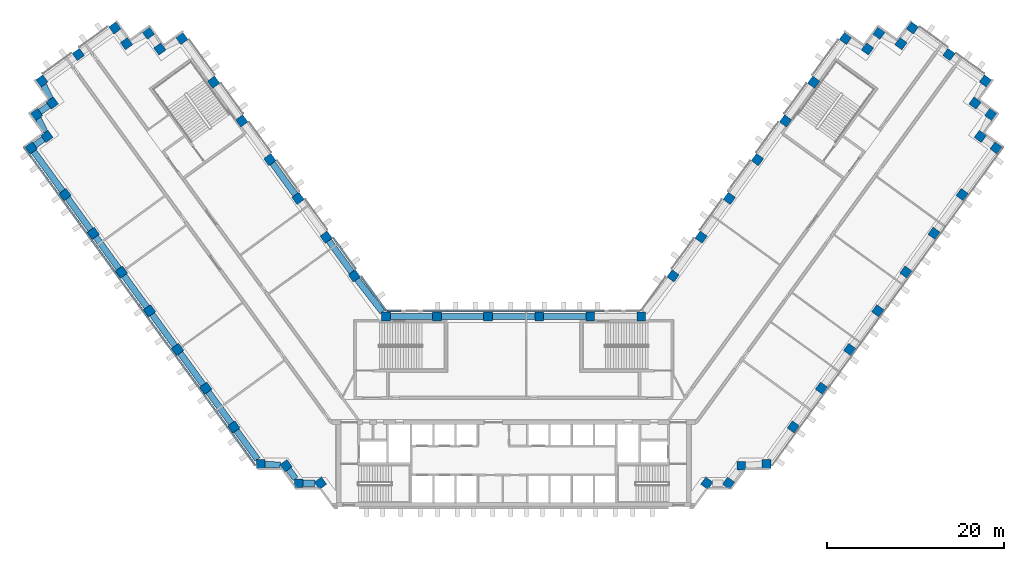
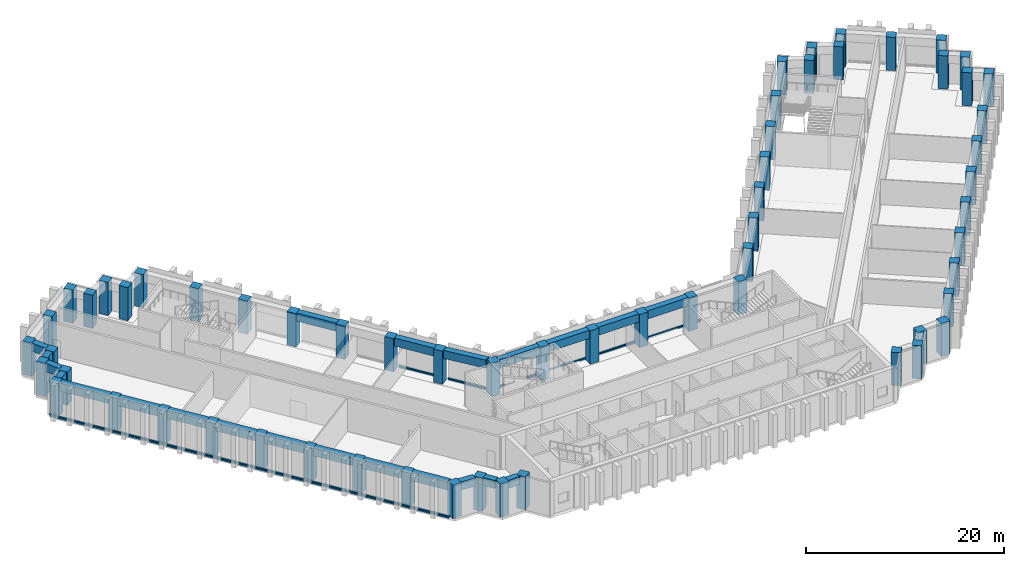
"""IFC4 building model written with IfcOpenShell, lengths in metres."""

from ifc_helpers import new_model, si_unit, direction, frame, origin, origin_2d, place, context, subcontext, project, spatial, rectangle, extrude, material, material_profile, profile_set, type_object, element, aggregate, save


model = new_model("IFC4")

# Units and contexts
model_context = context("Model", 3, precision=1e-05, world=origin(), true_north=direction((0.0, 1.0)))
body_context = subcontext(model_context, "Body", "Model", "MODEL_VIEW")
ifc_project = project(units=[si_unit("LENGTHUNIT", "METRE"), si_unit("AREAUNIT", "SQUARE_METRE"), si_unit("VOLUMEUNIT", "CUBIC_METRE"), si_unit("PLANEANGLEUNIT", "RADIAN"), si_unit("MASSUNIT", "GRAM", prefix="KILO")], contexts=[model_context])

# Site, building, storey
site_placement = place(None, origin())
site = spatial("IfcSite", under=ifc_project, at=site_placement, CompositionType="ELEMENT")
building_placement = place(site_placement, origin())
building = spatial("IfcBuilding", under=site, at=building_placement, Name="Quipu Civic Tower", CompositionType="ELEMENT")
storey_1_placement = place(building_placement, frame((0.0, 0.0, 11.5)))
storey_1 = spatial("IfcBuildingStorey", under=building, at=storey_1_placement, Name="L02", CompositionType="ELEMENT", Elevation=11.5)

# Columns
ifc_material_1 = material(Name="Concrete C80/95", Category="concrete")
ifc_material_profile_1 = material_profile(ifc_material_1, rectangle(XDim=1.0, YDim=1.0, at=origin_2d()), Name="RC1000x1000")
ifc_profile_set_1 = profile_set([ifc_material_profile_1], Name="Concrete C80/95")
column_type = type_object("IfcColumnType", Name="Perimeter column RC 1000x1000 C80/95", PredefinedType="COLUMN", material=ifc_profile_set_1)
for number, where, z_axis, x_axis, name in (
    (1, (-17.9736328125, 15.074951171875, 0.0), (0.0, 0.0, 1.0), (-0.587785252292, 0.809016994375, 0.0), "Column L02 W-IN-01"),
    (2, (-21.1474609375, 19.44384765625, 0.0), (0.0, 0.0, 1.0), (-0.587785252292, 0.809016994375, 0.0), "Column L02 W-IN-02"),
    (3, (-24.3212890625, 23.8125, 0.0), (0.0, 0.0, 1.0), (-0.587785252292, 0.809016994375, 0.0), "Column L02 W-IN-03"),
    (4, (-27.4951171875, 28.181396484375, 0.0), (0.0, 0.0, 1.0), (-0.587785252292, 0.809016994375, 0.0), "Column L02 W-IN-04"),
    (5, (-30.6689453125, 32.55029296875, 0.0), (0.0, 0.0, 1.0), (-0.587785252292, 0.809016994375, 0.0), "Column L02 W-IN-05"),
    (6, (-33.843017578125, 36.919189453125, 0.0), (0.0, 0.0, 1.0), (-0.587785252292, 0.809016994375, 0.0), "Column L02 W-IN-06"),
    (7, (-37.425048828125, 41.85009765625, 0.0), (0.0, 0.0, 1.0), (-0.587785252292, 0.809016994375, 0.0), "Column L02 T-Wi.0-W50"),
    (8, (-39.905517578125, 40.666015625, 0.0), (0.0, 0.0, 1.0), (-0.587785252292, 0.809016994375, 0.0), "Column L02 T-Wi.1-W50"),
    (9, (-41.199951171875, 42.445068359375, 0.0), (0.0, 0.0, 1.0), (-0.587785252292, 0.809016994375, 0.0), "Column L02 T-Wi.2-W50"),
    (10, (-43.674560546875, 41.264892578125, 0.0), (0.0, 0.0, 1.0), (-0.809016994375, -0.587785252292, 0.0), "Column L02 T-Wi.3-W50"),
    (11, (-44.969970703125, 43.044921875, 0.0), (0.0, 0.0, 1.0), (-0.809016994375, -0.587785252292, 0.0), "Column L02 T-Wi.4-W50"),
    (12, (-49.095703125, 40.046875, 0.0), (0.0, 0.0, 1.0), (-0.809016994375, -0.587785252292, 0.0), "Column L02 TIP-W-01-W50"),
    (13, (-53.219970703125, 37.050048828125, 0.0), (0.0, 0.0, 1.0), (0.587785252292, -0.809016994375, 0.0), "Column L02 T-Wo.0-W50"),
    (14, (-52.038818359375, 34.571044921875, 0.0), (0.0, 0.0, 1.0), (-0.809016994375, -0.587785252292, 0.0), "Column L02 T-Wo.1-W50"),
    (15, (-53.820068359375, 33.27490234375, 0.0), (0.0, 0.0, 1.0), (0.587785252292, -0.809016994375, 0.0), "Column L02 T-Wo.2-W50"),
    (16, (-52.635986328125, 30.799560546875, 0.0), (0.0, 0.0, 1.0), (-0.809016994375, -0.587785252292, 0.0), "Column L02 T-Wo.3-W50"),
    (17, (-54.4150390625, 29.5048828125, 0.0), (0.0, 0.0, 1.0), (0.587785252292, -0.809016994375, 0.0), "Column L02 T-Wo.4-W50"),
    (18, (-50.59228515625, 24.243408203125, 0.0), (0.0, 0.0, 1.0), (0.587785252292, -0.809016994375, 0.0), "Column L02 W-OUT-07"),
    (19, (-47.41845703125, 19.874755859375, 0.0), (0.0, 0.0, 1.0), (0.587785252292, -0.809016994375, 0.0), "Column L02 W-OUT-06"),
    (20, (-44.244384765625, 15.506103515625, 0.0), (0.0, 0.0, 1.0), (0.587785252292, -0.809016994375, 0.0), "Column L02 W-OUT-05"),
    (21, (-41.0703125, 11.137451171875, 0.0), (0.0, 0.0, 1.0), (0.587785252292, -0.809016994375, 0.0), "Column L02 W-OUT-04"),
    (22, (-37.896240234375, 6.768798828125, 0.0), (0.0, 0.0, 1.0), (0.587785252292, -0.809016994375, 0.0), "Column L02 W-OUT-03"),
    (23, (-34.722412109375, 2.39990234375, 0.0), (0.0, 0.0, 1.0), (0.587785252292, -0.809016994375, 0.0), "Column L02 W-OUT-02"),
    (24, (-31.54833984375, -1.96875, 0.0), (0.0, 0.0, 1.0), (0.587785252292, -0.809016994375, 0.0), "Column L02 W-OUT-01"),
    (25, (-28.52490234375, -6.1298828125, 0.0), (0.0, 0.0, 1.0), (1.0, 0.0, 0.0), "Column L02 J-Wo.0"),
    (26, (-25.67431640625, -6.3369140625, 0.0), (0.0, 0.0, 1.0), (0.587785252292, -0.809016994375, 0.0), "Column L02 J-Wo.1"),
    (27, (-24.235107421875, -8.31494140625, 0.0), (0.0, 0.0, 1.0), (1.0, 0.0, 0.0), "Column L02 J-Wo.2"),
    (28, (-21.791748046875, -8.31494140625, 0.0), (0.0, 0.0, 1.0), (0.587785252292, -0.809016994375, 0.0), "Column L02 J-Wo.3"),
    (29, (21.791748046875, -8.31494140625, 0.0), (0.0, 0.0, 1.0), (0.587785252292, 0.809016994375, 0.0), "Column L02 J-Eo.1"),
    (30, (24.235107421875, -8.31494140625, 0.0), (0.0, 0.0, 1.0), (0.587785252292, 0.809016994375, 0.0), "Column L02 J-Eo.2"),
    (31, (25.67431640625, -6.3369140625, 0.0), (0.0, 0.0, 1.0), (1.0, 0.0, 0.0), "Column L02 J-Eo.3"),
    (32, (28.52490234375, -6.1298828125, 0.0), (0.0, 0.0, 1.0), (1.0, 0.0, 0.0), "Column L02 J-Eo.4"),
    (33, (31.54833984375, -1.96875, 0.0), (0.0, 0.0, 1.0), (0.587785252292, 0.809016994375, 0.0), "Column L02 E-OUT-01"),
    (34, (34.722412109375, 2.39990234375, 0.0), (0.0, 0.0, 1.0), (0.587785252292, 0.809016994375, 0.0), "Column L02 E-OUT-02"),
    (35, (37.896240234375, 6.768798828125, 0.0), (0.0, 0.0, 1.0), (0.587785252292, 0.809016994375, 0.0), "Column L02 E-OUT-03"),
    (36, (41.0703125, 11.137451171875, 0.0), (0.0, 0.0, 1.0), (0.587785252292, 0.809016994375, 0.0), "Column L02 E-OUT-04"),
    (37, (44.244384765625, 15.506103515625, 0.0), (0.0, 0.0, 1.0), (0.587785252292, 0.809016994375, 0.0), "Column L02 E-OUT-05"),
    (38, (47.41845703125, 19.874755859375, 0.0), (0.0, 0.0, 1.0), (0.587785252292, 0.809016994375, 0.0), "Column L02 E-OUT-06"),
    (39, (50.59228515625, 24.243408203125, 0.0), (0.0, 0.0, 1.0), (0.587785252292, 0.809016994375, 0.0), "Column L02 E-OUT-07"),
    (40, (54.4150390625, 29.5048828125, 0.0), (0.0, 0.0, 1.0), (0.587785252292, 0.809016994375, 0.0), "Column L02 T-Eo.0-E50"),
    (41, (52.635986328125, 30.799560546875, 0.0), (0.0, 0.0, 1.0), (-0.809016994375, 0.587785252292, 0.0), "Column L02 T-Eo.1-E50"),
    (42, (53.820068359375, 33.27490234375, 0.0), (0.0, 0.0, 1.0), (-0.809016994375, 0.587785252292, 0.0), "Column L02 T-Eo.2-E50"),
    (43, (52.038818359375, 34.571044921875, 0.0), (0.0, 0.0, 1.0), (0.587785252292, 0.809016994375, 0.0), "Column L02 T-Eo.3-E50"),
    (44, (53.219970703125, 37.050048828125, 0.0), (0.0, 0.0, 1.0), (-0.809016994375, 0.587785252292, 0.0), "Column L02 T-Eo.4-E50"),
    (45, (49.095703125, 40.046875, 0.0), (0.0, 0.0, 1.0), (-0.809016994375, 0.587785252292, 0.0), "Column L02 TIP-E-01-E50"),
    (46, (44.969970703125, 43.044921875, 0.0), (0.0, 0.0, 1.0), (-0.809016994375, 0.587785252292, 0.0), "Column L02 T-Ei.0-E50"),
    (47, (43.674560546875, 41.264892578125, 0.0), (0.0, 0.0, 1.0), (-0.809016994375, 0.587785252292, 0.0), "Column L02 T-Ei.1-E50"),
    (48, (41.199951171875, 42.445068359375, 0.0), (0.0, 0.0, 1.0), (-0.587785252292, -0.809016994375, 0.0), "Column L02 T-Ei.2-E50"),
    (49, (39.905517578125, 40.666015625, 0.0), (0.0, 0.0, 1.0), (-0.587785252292, -0.809016994375, 0.0), "Column L02 T-Ei.3-E50"),
    (50, (37.425048828125, 41.85009765625, 0.0), (0.0, 0.0, 1.0), (-0.587785252292, -0.809016994375, 0.0), "Column L02 T-Ei.4-E50"),
    (51, (33.843017578125, 36.919189453125, 0.0), (0.0, 0.0, 1.0), (-0.587785252292, -0.809016994375, 0.0), "Column L02 E-IN-06"),
    (52, (30.6689453125, 32.55029296875, 0.0), (0.0, 0.0, 1.0), (-0.587785252292, -0.809016994375, 0.0), "Column L02 E-IN-05"),
    (53, (27.4951171875, 28.181396484375, 0.0), (0.0, 0.0, 1.0), (-0.587785252292, -0.809016994375, 0.0), "Column L02 E-IN-04"),
    (54, (24.3212890625, 23.8125, 0.0), (0.0, 0.0, 1.0), (-0.587785252292, -0.809016994375, 0.0), "Column L02 E-IN-03"),
    (55, (21.1474609375, 19.44384765625, 0.0), (0.0, 0.0, 1.0), (-0.587785252292, -0.809016994375, 0.0), "Column L02 E-IN-02"),
    (56, (17.9736328125, 15.074951171875, 0.0), (0.0, 0.0, 1.0), (-0.587785252292, -0.809016994375, 0.0), "Column L02 E-IN-01"),
    (57, (14.395263671875, 10.5, 0.0), (0.0, 0.0, 1.0), (-1.0, 0.0, 0.0), "Column L02 J-Ei.0"),
    (58, (8.63720703125, 10.5, 0.0), (0.0, 0.0, 1.0), (-1.0, 0.0, 0.0), "Column L02 FRONT-01"),
    (59, (2.87890625, 10.5, 0.0), (0.0, 0.0, 1.0), (-1.0, 0.0, 0.0), "Column L02 FRONT-02"),
    (60, (-2.87890625, 10.5, 0.0), (0.0, 0.0, 1.0), (-1.0, 0.0, 0.0), "Column L02 FRONT-03"),
    (61, (-8.63720703125, 10.5, 0.0), (0.0, 0.0, 1.0), (-1.0, 0.0, 0.0), "Column L02 FRONT-04"),
    (62, (-14.395263671875, 10.5, 0.0), (0.0, 0.0, 1.0), (-1.0, 0.0, 0.0), "Column L02 J-Wi.0"),
):
    element("IfcColumn", number, at=place(storey_1_placement, frame(where, z_axis=z_axis, x_axis=x_axis)), inside=storey_1, type_object=column_type, Name=name, PredefinedType="COLUMN", context=body_context, shape_type="SweptSolid", body=[
        extrude(rectangle(XDim=1.0, YDim=1.0, at=origin_2d()), origin(), (0.0, 0.0, 1.0), 4.10009765625),
    ])

# Beams
ifc_material_2 = material(Name="Concrete C50/60", Category="concrete")
ifc_material_profile_2 = material_profile(ifc_material_2, rectangle(XDim=0.699951171875, YDim=1.0, at=origin_2d()), Name="RC700x1000")
ifc_profile_set_2 = profile_set([ifc_material_profile_2], Name="Concrete C50/60")
beam_type = type_object("IfcBeamType", Name="Spandrel beam RC 700x1000 C50/60", PredefinedType="SPANDREL", material=ifc_profile_set_2)
beam_1_placement = place(storey_1_placement, frame((-18.267578125, 15.4794921875, 3.60009765625), z_axis=(-0.587722908759, 0.809062285934, 0.0), x_axis=(-0.809062285934, -0.587722908759, 0.0)))
element("IfcBeam", 63, at=beam_1_placement, inside=storey_1, type_object=beam_type, Name="Spandrel beam L02 W-IN-01 to W-IN-02", PredefinedType="SPANDREL", context=body_context, shape_type="SweptSolid", body=[
    extrude(rectangle(XDim=0.699951171875, YDim=1.0, at=origin_2d()), origin(), (0.0, 0.0, 1.0), 4.39990234375),
])
beam_2_placement = place(storey_1_placement, frame((-24.615234375, 24.217041015625, 3.60009765625), z_axis=(-0.587732844487, 0.809055068281, 0.0), x_axis=(-0.809055068281, -0.587732844487, 0.0)))
element("IfcBeam", 64, at=beam_2_placement, inside=storey_1, type_object=beam_type, Name="Spandrel beam L02 W-IN-03 to W-IN-04", PredefinedType="SPANDREL", context=body_context, shape_type="SweptSolid", body=[
    extrude(rectangle(XDim=0.699951171875, YDim=1.0, at=origin_2d()), origin(), (0.0, 0.0, 1.0), 4.400146484375),
])
beam_3_placement = place(storey_1_placement, frame((-53.001220703125, 36.5908203125, 3.60009765625), z_axis=(0.430185740912, -0.902740399182, 0.0), x_axis=(0.902740399182, 0.430185740912, 0.0)))
element("IfcBeam", 65, at=beam_3_placement, inside=storey_1, type_object=beam_type, Name="Spandrel beam L02 T-Wo.0-W50 to T-Wo.1-W50", PredefinedType="SPANDREL", context=body_context, shape_type="SweptSolid", body=[
    extrude(rectangle(XDim=0.699951171875, YDim=1.0, at=origin_2d()), origin(), (0.0, 0.0, 1.0), 1.728759765625),
])
beam_4_placement = place(storey_1_placement, frame((-52.443115234375, 34.27685546875, 3.60009765625), z_axis=(-0.808586856323, -0.588376831446, 0.0), x_axis=(0.588376831446, -0.808586856323, 0.0)))
element("IfcBeam", 66, at=beam_4_placement, inside=storey_1, type_object=beam_type, Name="Spandrel beam L02 T-Wo.1-W50 to T-Wo.2-W50", PredefinedType="SPANDREL", context=body_context, shape_type="SweptSolid", body=[
    extrude(rectangle(XDim=0.699951171875, YDim=1.0, at=origin_2d()), origin(), (0.0, 0.0, 1.0), 1.202880859375),
])
beam_5_placement = place(storey_1_placement, frame((-53.6005859375, 32.81640625, 3.60009765625), z_axis=(0.431370473785, -0.902174880135, 0.0), x_axis=(0.902174880135, 0.431370473785, 0.0)))
element("IfcBeam", 67, at=beam_5_placement, inside=storey_1, type_object=beam_type, Name="Spandrel beam L02 T-Wo.2-W50 to T-Wo.3-W50", PredefinedType="SPANDREL", context=body_context, shape_type="SweptSolid", body=[
    extrude(rectangle(XDim=0.699951171875, YDim=1.0, at=origin_2d()), origin(), (0.0, 0.0, 1.0), 1.727294921875),
])
beam_6_placement = place(storey_1_placement, frame((-53.040283203125, 30.50537109375, 3.60009765625), z_axis=(-0.808630508091, -0.588316837584, 0.0), x_axis=(0.588316837584, -0.808630508091, 0.0)))
element("IfcBeam", 68, at=beam_6_placement, inside=storey_1, type_object=beam_type, Name="Spandrel beam L02 T-Wo.3-W50 to T-Wo.4-W50", PredefinedType="SPANDREL", context=body_context, shape_type="SweptSolid", body=[
    extrude(rectangle(XDim=0.699951171875, YDim=1.0, at=origin_2d()), origin(), (0.0, 0.0, 1.0), 1.2001953125),
])
beam_7_placement = place(storey_1_placement, frame((-54.12109375, 29.1005859375, 3.60009765625), z_axis=(0.587765432916, -0.809031393624, 0.0), x_axis=(0.809031393624, 0.587765432916, 0.0)))
element("IfcBeam", 69, at=beam_7_placement, inside=storey_1, type_object=beam_type, Name="Spandrel beam L02 T-Wo.4-W50 to W-OUT-07", PredefinedType="SPANDREL", context=body_context, shape_type="SweptSolid", body=[
    extrude(rectangle(XDim=0.699951171875, YDim=1.0, at=origin_2d()), origin(), (0.0, 0.0, 1.0), 5.503662109375),
])
beam_8_placement = place(storey_1_placement, frame((-50.298583984375, 23.839111328125, 3.60009765625), z_axis=(0.587759228046, -0.809035901457, 0.0), x_axis=(0.809035901457, 0.587759228046, 0.0)))
element("IfcBeam", 70, at=beam_8_placement, inside=storey_1, type_object=beam_type, Name="Spandrel beam L02 W-OUT-07 to W-OUT-06", PredefinedType="SPANDREL", context=body_context, shape_type="SweptSolid", body=[
    extrude(rectangle(XDim=0.699951171875, YDim=1.0, at=origin_2d()), origin(), (0.0, 0.0, 1.0), 4.400146484375),
])
beam_9_placement = place(storey_1_placement, frame((-47.12451171875, 19.47021484375, 3.60009765625), z_axis=(0.587785613349, -0.809016732052, 0.0), x_axis=(0.809016732052, 0.587785613349, 0.0)))
element("IfcBeam", 71, at=beam_9_placement, inside=storey_1, type_object=beam_type, Name="Spandrel beam L02 W-OUT-06 to W-OUT-05", PredefinedType="SPANDREL", context=body_context, shape_type="SweptSolid", body=[
    extrude(rectangle(XDim=0.699951171875, YDim=1.0, at=origin_2d()), origin(), (0.0, 0.0, 1.0), 4.39990234375),
])
for number, where, z_axis, x_axis, name in (
    (72, (-43.950439453125, 15.101806640625, 3.60009765625), (0.587759228046, -0.809035901457, 0.0), (0.809035901457, 0.587759228046, 0.0), "Spandrel beam L02 W-OUT-05 to W-OUT-04"),
    (73, (-40.776611328125, 10.73291015625, 3.60009765625), (0.58779554378, -0.809009517072, 0.0), (0.809009517072, 0.58779554378, 0.0), "Spandrel beam L02 W-OUT-04 to W-OUT-03"),
    (74, (-37.602294921875, 6.3642578125, 3.60009765625), (0.587759228046, -0.809035901457, 0.0), (0.809035901457, 0.587759228046, 0.0), "Spandrel beam L02 W-OUT-03 to W-OUT-02"),
    (75, (-34.428466796875, 1.99560546875, 3.60009765625), (0.587759228046, -0.809035901457, 0.0), (0.809035901457, 0.587759228046, 0.0), "Spandrel beam L02 W-OUT-02 to W-OUT-01"),
):
    element("IfcBeam", number, at=place(storey_1_placement, frame(where, z_axis=z_axis, x_axis=x_axis)), inside=storey_1, type_object=beam_type, Name=name, PredefinedType="SPANDREL", context=body_context, shape_type="SweptSolid", body=[
        extrude(rectangle(XDim=0.699951171875, YDim=1.0, at=origin_2d()), origin(), (0.0, 0.0, 1.0), 4.400146484375),
    ])
beam_10_placement = place(storey_1_placement, frame((-31.25439453125, -2.373291015625, 3.60009765625), z_axis=(0.587811022966, -0.808998270258, 0.0), x_axis=(0.808998270258, 0.587811022966, 0.0)))
element("IfcBeam", 76, at=beam_10_placement, inside=storey_1, type_object=beam_type, Name="Spandrel beam L02 W-OUT-01 to J-Wo.0", PredefinedType="SPANDREL", context=body_context, shape_type="SweptSolid", body=[
    extrude(rectangle(XDim=0.699951171875, YDim=1.0, at=origin_2d()), origin(), (0.0, 0.0, 1.0), 4.025390625),
])
beam_11_placement = place(storey_1_placement, frame((-28.02490234375, -6.166259765625, 3.60009765625), z_axis=(0.99737429836, -0.072418982124, 0.0), x_axis=(0.072418982124, 0.99737429836, 0.0)))
element("IfcBeam", 77, at=beam_11_placement, inside=storey_1, type_object=beam_type, Name="Spandrel beam L02 J-Wo.0 to J-Wo.1", PredefinedType="SPANDREL", context=body_context, shape_type="SweptSolid", body=[
    extrude(rectangle(XDim=0.699951171875, YDim=1.0, at=origin_2d()), origin(), (0.0, 0.0, 1.0), 1.702392578125),
])
beam_12_placement = place(storey_1_placement, frame((-25.380126953125, -6.7412109375, 3.60009765625), z_axis=(0.588346597772, -0.808608855313, 0.0), x_axis=(0.808608855313, 0.588346597772, 0.0)))
element("IfcBeam", 78, at=beam_12_placement, inside=storey_1, type_object=beam_type, Name="Spandrel beam L02 J-Wo.1 to J-Wo.2", PredefinedType="SPANDREL", context=body_context, shape_type="SweptSolid", body=[
    extrude(rectangle(XDim=0.699951171875, YDim=1.0, at=origin_2d()), origin(), (0.0, 0.0, 1.0), 1.327880859375),
])
beam_13_placement = place(storey_1_placement, frame((-23.735107421875, -8.31494140625, 3.60009765625), z_axis=(1.0, 0.0, 0.0), x_axis=(0.0, 1.0, 0.0)))
element("IfcBeam", 79, at=beam_13_placement, inside=storey_1, type_object=beam_type, Name="Spandrel beam L02 J-Wo.2 to J-Wo.3", PredefinedType="SPANDREL", context=body_context, shape_type="SweptSolid", body=[
    extrude(rectangle(XDim=0.699951171875, YDim=1.0, at=origin_2d()), origin(), (0.0, 0.0, 1.0), 1.3251953125),
])
beam_14_placement = place(storey_1_placement, frame((8.13720703125, 10.5, 3.60009765625), z_axis=(-1.0, 0.0, 0.0), x_axis=(0.0, -1.0, 0.0)))
element("IfcBeam", 80, at=beam_14_placement, inside=storey_1, type_object=beam_type, Name="Spandrel beam L02 FRONT-01 to FRONT-02", PredefinedType="SPANDREL", context=body_context, shape_type="SweptSolid", body=[
    extrude(rectangle(XDim=0.699951171875, YDim=1.0, at=origin_2d()), origin(), (0.0, 0.0, 1.0), 4.75830078125),
])
beam_15_placement = place(storey_1_placement, frame((2.37890625, 10.5, 3.60009765625), z_axis=(-1.0, 0.0, 0.0), x_axis=(0.0, -1.0, 0.0)))
element("IfcBeam", 81, at=beam_15_placement, inside=storey_1, type_object=beam_type, Name="Spandrel beam L02 FRONT-02 to FRONT-03", PredefinedType="SPANDREL", context=body_context, shape_type="SweptSolid", body=[
    extrude(rectangle(XDim=0.699951171875, YDim=1.0, at=origin_2d()), origin(), (0.0, 0.0, 1.0), 4.7578125),
])
beam_16_placement = place(storey_1_placement, frame((-3.37890625, 10.5, 3.60009765625), z_axis=(-1.0, 0.0, 0.0), x_axis=(0.0, -1.0, 0.0)))
element("IfcBeam", 82, at=beam_16_placement, inside=storey_1, type_object=beam_type, Name="Spandrel beam L02 FRONT-03 to FRONT-04", PredefinedType="SPANDREL", context=body_context, shape_type="SweptSolid", body=[
    extrude(rectangle(XDim=0.699951171875, YDim=1.0, at=origin_2d()), origin(), (0.0, 0.0, 1.0), 4.75830078125),
])
beam_17_placement = place(storey_1_placement, frame((-9.13720703125, 10.5, 3.60009765625), z_axis=(-1.0, 0.0, 0.0), x_axis=(0.0, -1.0, 0.0)))
element("IfcBeam", 83, at=beam_17_placement, inside=storey_1, type_object=beam_type, Name="Spandrel beam L02 FRONT-04 to J-Wi.0", PredefinedType="SPANDREL", context=body_context, shape_type="SweptSolid", body=[
    extrude(rectangle(XDim=0.699951171875, YDim=1.0, at=origin_2d()), origin(), (0.0, 0.0, 1.0), 4.758056640625),
])
beam_18_placement = place(storey_1_placement, frame((-14.786376953125, 11.0, 3.60009765625), z_axis=(-0.616068753057, 0.787692383806, 0.0), x_axis=(-0.787692383806, -0.616068753057, 0.0)))
element("IfcBeam", 84, at=beam_18_placement, inside=storey_1, type_object=beam_type, Name="Spandrel beam L02 J-Wi.0 to W-IN-01", PredefinedType="SPANDREL", context=body_context, shape_type="SweptSolid", body=[
    extrude(rectangle(XDim=0.699951171875, YDim=1.0, at=origin_2d()), origin(), (0.0, 0.0, 1.0), 4.673095703125),
])

# Storey
storey_2_placement = place(building_placement, frame((0.0, 0.0, 16.0)))
storey_2 = spatial("IfcBuildingStorey", under=building, at=storey_2_placement, Name="L03", CompositionType="ELEMENT", Elevation=16.0)

# Curtain wall, member
ifc_material_3 = material(Name="Insulated glass unit", Category="glass")
curtain_wall_type_1 = type_object("IfcCurtainWallType", Name="Public services curtain wall CW3", PredefinedType="NOTDEFINED", material=ifc_material_3)
curtain_wall_1_placement = place(storey_2_placement, origin())
curtain_wall_1 = element("IfcCurtainWall", 85, at=curtain_wall_1_placement, inside=storey_2, type_object=curtain_wall_type_1, Name="Public services curtain wall CW3 L02 run 1", PredefinedType="NOTDEFINED")
ifc_material_4 = material(Name="Anodised aluminium", Category="aluminium")
ifc_material_profile_3 = material_profile(ifc_material_4, rectangle(XDim=0.199951171875, YDim=0.139892578125, at=origin_2d()), Name="RECT 200x140")
ifc_profile_set_3 = profile_set([ifc_material_profile_3], Name="Anodised aluminium")
member_type_1 = type_object("IfcMemberType", Name="Transom CW3", PredefinedType="USERDEFINED", material=ifc_profile_set_3)
member_1_placement = place(storey_1_placement, frame((-14.403076171875, 11.180908203125, 0.139892578125), z_axis=(-0.587781327652, 0.809019845779, 0.0), x_axis=(-0.809019845779, -0.587781327652, 0.0)))
member_1 = element("IfcMember", 86, at=member_1_placement, inside=storey_1, type_object=member_type_1, Name="CW3 transom 1.1", ObjectType="TRANSOM", PredefinedType="USERDEFINED", context=body_context, shape_type="SweptSolid", body=[
    extrude(rectangle(XDim=0.199951171875, YDim=0.139892578125, at=origin_2d()), origin(), (0.0, 0.0, 1.0), 4.649169921875),
])
aggregate(curtain_wall_1, [member_1])

curtain_wall_2_placement = place(storey_2_placement, origin())
curtain_wall_2 = element("IfcCurtainWall", 87, at=curtain_wall_2_placement, inside=storey_2, type_object=curtain_wall_type_1, Name="Public services curtain wall CW3 L02 run 2", PredefinedType="NOTDEFINED")
member_2_placement = place(storey_1_placement, frame((-17.841064453125, 15.9130859375, 0.139892578125), z_axis=(-0.587812175236, 0.808997433027, 0.0), x_axis=(-0.808997433027, -0.587812175236, 0.0)))
member_2 = element("IfcMember", 88, at=member_2_placement, inside=storey_1, type_object=member_type_1, Name="CW3 transom 1.1", ObjectType="TRANSOM", PredefinedType="USERDEFINED", context=body_context, shape_type="SweptSolid", body=[
    extrude(rectangle(XDim=0.199951171875, YDim=0.139892578125, at=origin_2d()), origin(), (0.0, 0.0, 1.0), 4.199951171875),
])
aggregate(curtain_wall_2, [member_2])

# Curtain wall, members
curtain_wall_3_placement = place(storey_2_placement, origin())
curtain_wall_3 = element("IfcCurtainWall", 89, at=curtain_wall_3_placement, inside=storey_2, type_object=curtain_wall_type_1, Name="Public services curtain wall CW3 L02 run 18", PredefinedType="NOTDEFINED")
member_3_placement = place(storey_1_placement, frame((-55.1953125, 29.5576171875, 0.139892578125), z_axis=(0.587797192867, -0.809008318905, 0.0), x_axis=(0.809008318905, 0.587797192867, 0.0)))
member_3 = element("IfcMember", 90, at=member_3_placement, inside=storey_1, type_object=member_type_1, Name="CW3 transom 1.1", ObjectType="TRANSOM", PredefinedType="USERDEFINED", context=body_context, shape_type="SweptSolid", body=[
    extrude(rectangle(XDim=0.199951171875, YDim=0.139892578125, at=origin_2d()), origin(), (0.0, 0.0, 1.0), 10.971435546875),
])
member_4_placement = place(storey_1_placement, frame((-48.687744140625, 20.6005859375, 0.139892578125), z_axis=(0.587788351912, -0.80901474236, 0.0), x_axis=(0.80901474236, 0.587788351912, 0.0)))
member_4 = element("IfcMember", 91, at=member_4_placement, inside=storey_1, type_object=member_type_1, Name="CW3 transom 2.1", ObjectType="TRANSOM", PredefinedType="USERDEFINED", context=body_context, shape_type="SweptSolid", body=[
    extrude(rectangle(XDim=0.199951171875, YDim=0.139892578125, at=origin_2d()), origin(), (0.0, 0.0, 1.0), 11.021484375),
])
member_5_placement = place(storey_1_placement, frame((-42.150634765625, 11.603271484375, 0.139892578125), z_axis=(0.587777818391, -0.809022395368, 0.0), x_axis=(0.809022395368, 0.587777818391, 0.0)))
member_5 = element("IfcMember", 92, at=member_5_placement, inside=storey_1, type_object=member_type_1, Name="CW3 transom 3.1", ObjectType="TRANSOM", PredefinedType="USERDEFINED", context=body_context, shape_type="SweptSolid", body=[
    extrude(rectangle(XDim=0.199951171875, YDim=0.139892578125, at=origin_2d()), origin(), (0.0, 0.0, 1.0), 11.021728515625),
])
member_6_placement = place(storey_1_placement, frame((-35.613525390625, 2.605712890625, 0.139892578125), z_axis=(0.587772046886, -0.8090265885, 0.0), x_axis=(0.8090265885, 0.587772046886, 0.0)))
member_6 = element("IfcMember", 93, at=member_6_placement, inside=storey_1, type_object=member_type_1, Name="CW3 transom 4.1", ObjectType="TRANSOM", PredefinedType="USERDEFINED", context=body_context, shape_type="SweptSolid", body=[
    extrude(rectangle(XDim=0.199951171875, YDim=0.139892578125, at=origin_2d()), origin(), (0.0, 0.0, 1.0), 10.971435546875),
])
aggregate(curtain_wall_3, [member_3, member_4, member_5, member_6])

curtain_wall_4_placement = place(storey_2_placement, origin())
curtain_wall_4 = element("IfcCurtainWall", 94, at=curtain_wall_4_placement, inside=storey_2, type_object=curtain_wall_type_1, Name="Public services curtain wall CW3 L02 run 52", PredefinedType="NOTDEFINED")
member_7_placement = place(storey_1_placement, frame((10.16357421875, 11.10009765625, 0.139892578125), z_axis=(-1.0, 0.0, 0.0), x_axis=(0.0, -1.0, 0.0)))
member_7 = element("IfcMember", 95, at=member_7_placement, inside=storey_1, type_object=member_type_1, Name="CW3 transom 1.1", ObjectType="TRANSOM", PredefinedType="USERDEFINED", context=body_context, shape_type="SweptSolid", body=[
    extrude(rectangle(XDim=0.199951171875, YDim=0.139892578125, at=origin_2d()), origin(), (0.0, 0.0, 1.0), 10.113525390625),
])
member_8_placement = place(storey_1_placement, frame((-0.050048828125, 11.10009765625, 0.139892578125), z_axis=(-1.0, 0.0, 0.0), x_axis=(0.0, -1.0, 0.0)))
member_8 = element("IfcMember", 96, at=member_8_placement, inside=storey_1, type_object=member_type_1, Name="CW3 transom 2.1", ObjectType="TRANSOM", PredefinedType="USERDEFINED", context=body_context, shape_type="SweptSolid", body=[
    extrude(rectangle(XDim=0.199951171875, YDim=0.139892578125, at=origin_2d()), origin(), (0.0, 0.0, 1.0), 10.113525390625),
])
aggregate(curtain_wall_4, [member_7, member_8])

# Curtain wall, member
curtain_wall_5_placement = place(storey_2_placement, origin())
curtain_wall_5 = element("IfcCurtainWall", 97, at=curtain_wall_5_placement, inside=storey_2, type_object=curtain_wall_type_1, Name="Public services curtain wall CW3 L02 run 54", PredefinedType="NOTDEFINED")
member_9_placement = place(storey_1_placement, frame((-12.7548828125, 11.10009765625, 0.139892578125), z_axis=(-1.0, 0.0, 0.0), x_axis=(0.0, -1.0, 0.0)))
member_9 = element("IfcMember", 98, at=member_9_placement, inside=storey_1, type_object=member_type_1, Name="CW3 transom 1.1", ObjectType="TRANSOM", PredefinedType="USERDEFINED", context=body_context, shape_type="SweptSolid", body=[
    extrude(rectangle(XDim=0.199951171875, YDim=0.139892578125, at=origin_2d()), origin(), (0.0, 0.0, 1.0), 1.4892578125),
])
aggregate(curtain_wall_5, [member_9])

# Storey
storey_3_placement = place(building_placement, frame((0.0, 0.0, 6.0)))
storey_3 = spatial("IfcBuildingStorey", under=building, at=storey_3_placement, Name="L01", CompositionType="ELEMENT", Elevation=6.0)

# Curtain wall, member
ifc_material_5 = material(Name="Insulated glass unit", Category="glass")
curtain_wall_type_2 = type_object("IfcCurtainWallType", Name="Council chamber curtain wall CW4", PredefinedType="NOTDEFINED", material=ifc_material_5)
curtain_wall_6_placement = place(storey_3_placement, origin())
curtain_wall_6 = element("IfcCurtainWall", 99, at=curtain_wall_6_placement, inside=storey_3, type_object=curtain_wall_type_2, Name="Council chamber curtain wall CW4 L01 run 1", PredefinedType="NOTDEFINED")
ifc_material_6 = material(Name="Anodised aluminium", Category="aluminium")
ifc_material_profile_4 = material_profile(ifc_material_6, rectangle(XDim=0.199951171875, YDim=0.199951171875, at=origin_2d()), Name="RECT 200x200")
ifc_profile_set_4 = profile_set([ifc_material_profile_4], Name="Anodised aluminium")
member_type_2 = type_object("IfcMemberType", Name="Transom CW4", PredefinedType="USERDEFINED", material=ifc_profile_set_4)
member_10_placement = place(storey_1_placement, frame((-14.438232421875, 11.2294921875, 0.0), z_axis=(-0.587787007192, 0.809015719363, 0.0), x_axis=(-0.809015719363, -0.587787007192, 0.0)))
member_10 = element("IfcMember", 100, at=member_10_placement, inside=storey_1, type_object=member_type_2, Name="CW4 transom 1.3", ObjectType="TRANSOM", PredefinedType="USERDEFINED", context=body_context, shape_type="SweptSolid", body=[
    extrude(rectangle(XDim=0.199951171875, YDim=0.199951171875, at=origin_2d()), origin(), (0.0, 0.0, 1.0), 4.529052734375),
])
aggregate(curtain_wall_6, [member_10])

curtain_wall_7_placement = place(storey_3_placement, origin())
curtain_wall_7 = element("IfcCurtainWall", 101, at=curtain_wall_7_placement, inside=storey_3, type_object=curtain_wall_type_2, Name="Council chamber curtain wall CW4 L01 run 2", PredefinedType="NOTDEFINED")
member_11_placement = place(storey_1_placement, frame((-17.876220703125, 15.96142578125, 0.0), z_axis=(-0.587790931986, 0.809012867805, 0.0), x_axis=(-0.809012867805, -0.587790931986, 0.0)))
member_11 = element("IfcMember", 102, at=member_11_placement, inside=storey_1, type_object=member_type_2, Name="CW4 transom 1.3", ObjectType="TRANSOM", PredefinedType="USERDEFINED", context=body_context, shape_type="SweptSolid", body=[
    extrude(rectangle(XDim=0.199951171875, YDim=0.199951171875, at=origin_2d()), origin(), (0.0, 0.0, 1.0), 4.080078125),
])
aggregate(curtain_wall_7, [member_11])

# Curtain wall, members
curtain_wall_8_placement = place(storey_3_placement, origin())
curtain_wall_8 = element("IfcCurtainWall", 103, at=curtain_wall_8_placement, inside=storey_3, type_object=curtain_wall_type_2, Name="Council chamber curtain wall CW4 L01 run 20", PredefinedType="NOTDEFINED")
member_12_placement = place(storey_1_placement, frame((-55.16015625, 29.50927734375, 0.0), z_axis=(0.587779422244, -0.809021230121, 0.0), x_axis=(0.809021230121, 0.587779422244, 0.0)))
member_12 = element("IfcMember", 104, at=member_12_placement, inside=storey_1, type_object=member_type_2, Name="CW4 transom 1.3", ObjectType="TRANSOM", PredefinedType="USERDEFINED", context=body_context, shape_type="SweptSolid", body=[
    extrude(rectangle(XDim=0.199951171875, YDim=0.199951171875, at=origin_2d()), origin(), (0.0, 0.0, 1.0), 10.881591796875),
])
member_13_placement = place(storey_1_placement, frame((-48.669921875, 20.576416015625, 0.0), z_axis=(0.587771683611, -0.809026852425, 0.0), x_axis=(0.809026852425, 0.587771683611, 0.0)))
member_13 = element("IfcMember", 105, at=member_13_placement, inside=storey_1, type_object=member_type_2, Name="CW4 transom 2.3", ObjectType="TRANSOM", PredefinedType="USERDEFINED", context=body_context, shape_type="SweptSolid", body=[
    extrude(rectangle(XDim=0.199951171875, YDim=0.199951171875, at=origin_2d()), origin(), (0.0, 0.0, 1.0), 10.96142578125),
])
member_14_placement = place(storey_1_placement, frame((-42.133056640625, 11.578857421875, 0.0), z_axis=(0.587796852452, -0.809008566239, 0.0), x_axis=(0.809008566239, 0.587796852452, 0.0)))
member_14 = element("IfcMember", 106, at=member_14_placement, inside=storey_1, type_object=member_type_2, Name="CW4 transom 3.3", ObjectType="TRANSOM", PredefinedType="USERDEFINED", context=body_context, shape_type="SweptSolid", body=[
    extrude(rectangle(XDim=0.199951171875, YDim=0.199951171875, at=origin_2d()), origin(), (0.0, 0.0, 1.0), 10.96142578125),
])
member_15_placement = place(storey_1_placement, frame((-35.595947265625, 2.58154296875, 0.0), z_axis=(0.587779422244, -0.809021230121, 0.0), x_axis=(0.809021230121, 0.587779422244, 0.0)))
member_15 = element("IfcMember", 107, at=member_15_placement, inside=storey_1, type_object=member_type_2, Name="CW4 transom 4.3", ObjectType="TRANSOM", PredefinedType="USERDEFINED", context=body_context, shape_type="SweptSolid", body=[
    extrude(rectangle(XDim=0.199951171875, YDim=0.199951171875, at=origin_2d()), origin(), (0.0, 0.0, 1.0), 10.881591796875),
])
aggregate(curtain_wall_8, [member_12, member_13, member_14, member_15])

# Curtain wall, member
curtain_wall_9_placement = place(storey_3_placement, origin())
curtain_wall_9 = element("IfcCurtainWall", 108, at=curtain_wall_9_placement, inside=storey_3, type_object=curtain_wall_type_2, Name="Council chamber curtain wall CW4 L01 run 56", PredefinedType="NOTDEFINED")
member_16_placement = place(storey_1_placement, frame((10.103515625, 11.10009765625, 0.0), z_axis=(-1.0, 0.0, 0.0), x_axis=(0.0, -1.0, 0.0)))
member_16 = element("IfcMember", 109, at=member_16_placement, inside=storey_1, type_object=member_type_2, Name="CW4 transom 1.3", ObjectType="TRANSOM", PredefinedType="USERDEFINED", context=body_context, shape_type="SweptSolid", body=[
    extrude(rectangle(XDim=0.199951171875, YDim=0.199951171875, at=origin_2d()), origin(), (0.0, 0.0, 1.0), 2.611572265625),
])
aggregate(curtain_wall_9, [member_16])

curtain_wall_10_placement = place(storey_3_placement, origin())
curtain_wall_10 = element("IfcCurtainWall", 110, at=curtain_wall_10_placement, inside=storey_3, type_object=curtain_wall_type_2, Name="Council chamber curtain wall CW4 L01 run 58", PredefinedType="NOTDEFINED")
member_17_placement = place(storey_1_placement, frame((3.9833984375, 11.10009765625, 0.0), z_axis=(-1.0, 0.0, 0.0), x_axis=(0.0, -1.0, 0.0)))
member_17 = element("IfcMember", 111, at=member_17_placement, inside=storey_1, type_object=member_type_2, Name="CW4 transom 1.3", ObjectType="TRANSOM", PredefinedType="USERDEFINED", context=body_context, shape_type="SweptSolid", body=[
    extrude(rectangle(XDim=0.199951171875, YDim=0.199951171875, at=origin_2d()), origin(), (0.0, 0.0, 1.0), 7.966796875),
])
aggregate(curtain_wall_10, [member_17])

curtain_wall_11_placement = place(storey_3_placement, origin())
curtain_wall_11 = element("IfcCurtainWall", 112, at=curtain_wall_11_placement, inside=storey_3, type_object=curtain_wall_type_2, Name="Council chamber curtain wall CW4 L01 run 60", PredefinedType="NOTDEFINED")
member_18_placement = place(storey_1_placement, frame((-7.491943359375, 11.10009765625, 0.0), z_axis=(-1.0, 0.0, 0.0), x_axis=(0.0, -1.0, 0.0)))
member_18 = element("IfcMember", 113, at=member_18_placement, inside=storey_1, type_object=member_type_2, Name="CW4 transom 1.3", ObjectType="TRANSOM", PredefinedType="USERDEFINED", context=body_context, shape_type="SweptSolid", body=[
    extrude(rectangle(XDim=0.199951171875, YDim=0.199951171875, at=origin_2d()), origin(), (0.0, 0.0, 1.0), 2.611572265625),
])
aggregate(curtain_wall_11, [member_18])

curtain_wall_12_placement = place(storey_3_placement, origin())
curtain_wall_12 = element("IfcCurtainWall", 114, at=curtain_wall_12_placement, inside=storey_3, type_object=curtain_wall_type_2, Name="Council chamber curtain wall CW4 L01 run 62", PredefinedType="NOTDEFINED")
member_19_placement = place(storey_1_placement, frame((-12.81494140625, 11.10009765625, 0.0), z_axis=(-1.0, 0.0, 0.0), x_axis=(0.0, -1.0, 0.0)))
member_19 = element("IfcMember", 115, at=member_19_placement, inside=storey_1, type_object=member_type_2, Name="CW4 transom 1.3", ObjectType="TRANSOM", PredefinedType="USERDEFINED", context=body_context, shape_type="SweptSolid", body=[
    extrude(rectangle(XDim=0.199951171875, YDim=0.199951171875, at=origin_2d()), origin(), (0.0, 0.0, 1.0), 1.369140625),
])
aggregate(curtain_wall_12, [member_19])

save(model, "model.ifc")
